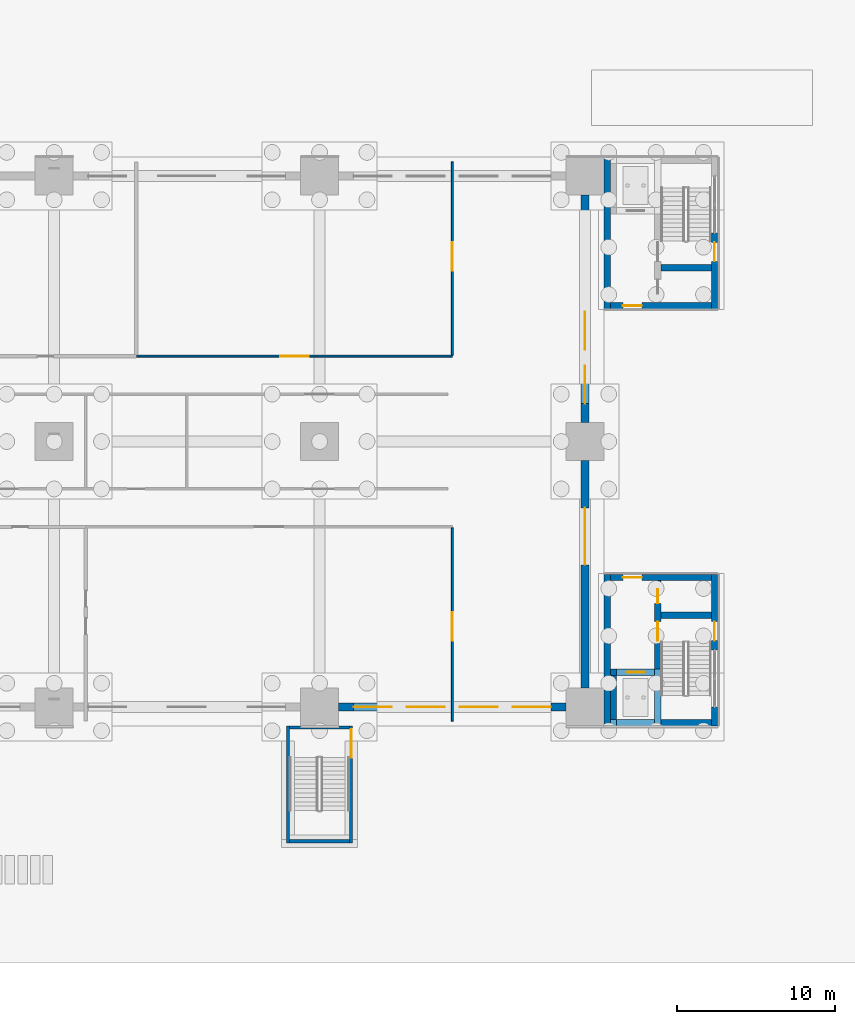
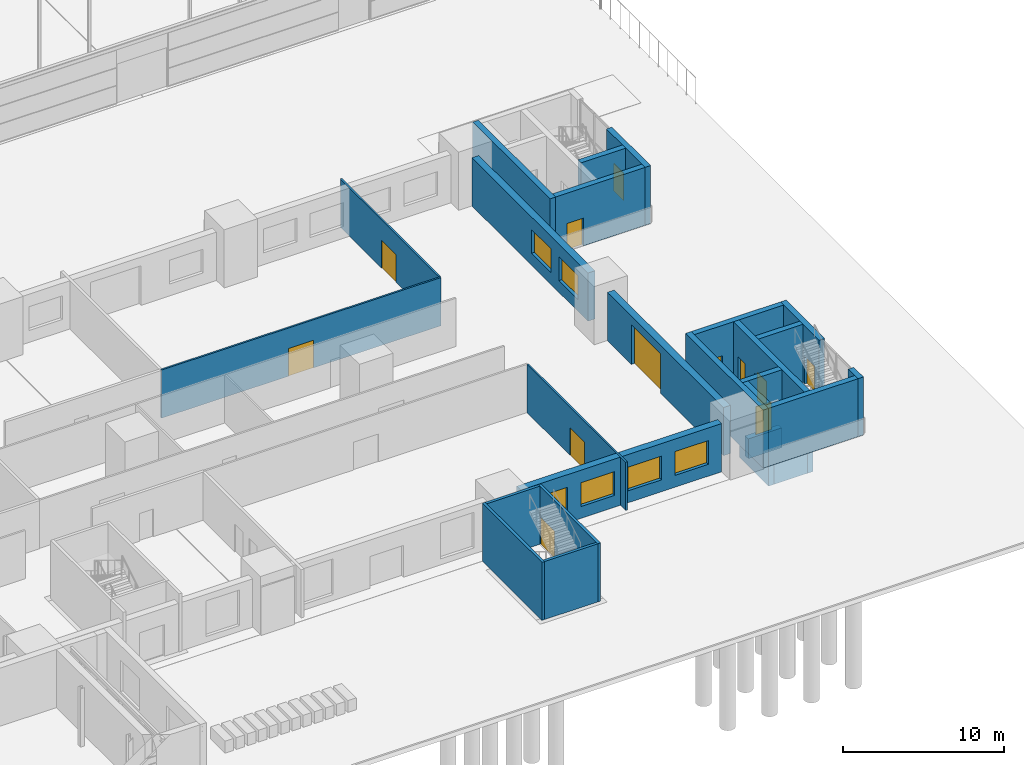
# One storey, part 88 of 139: 27 walls, 12 doors, 6 windows, 18 openings.
"""IFC4 building model written with IfcOpenShell, lengths in metres."""

from ifc_helpers import new_model, si_unit, direction, frame, frame_2d, origin, place, context, subcontext, project, spatial, rectangle, extrude, material, layer, layer_set, type_object, element, fill, save


model = new_model("IFC4")

# Units and contexts
model_context = context("Model", 3, precision=1e-05, world=origin(), true_north=direction((0.0, 1.0)))
body_context = subcontext(model_context, "Body", "Model", "MODEL_VIEW")
ifc_project = project(units=[si_unit("LENGTHUNIT", "METRE"), si_unit("AREAUNIT", "SQUARE_METRE"), si_unit("VOLUMEUNIT", "CUBIC_METRE"), si_unit("PLANEANGLEUNIT", "RADIAN"), si_unit("MASSUNIT", "GRAM", prefix="KILO")], contexts=[model_context])

# Site, building, storey
site_placement = place(None, origin())
site = spatial("IfcSite", under=ifc_project, at=site_placement, CompositionType="ELEMENT")
building_placement = place(site_placement, origin())
building = spatial("IfcBuilding", under=site, at=building_placement, Name="Verrick Yard Athletic Hall", CompositionType="ELEMENT")
storey_placement = place(building_placement, origin())
storey = spatial("IfcBuildingStorey", under=building, at=storey_placement, Name="L00", CompositionType="ELEMENT", Elevation=0.0)

# Wall, openings, doors
ifc_material_1 = material(Name="Concrete 35 MPa", Category="concrete")
ifc_layer_1 = layer(ifc_material_1, 0.39990234375)
ifc_layer_set_1 = layer_set([ifc_layer_1], Name="Core wall CR400")
wall_type_1 = type_object("IfcWallType", Name="Core wall CR400", PredefinedType="SHEAR", material=ifc_layer_set_1)
wall_1_placement = place(storey_placement, frame((162.199951171875, 18.39990234375, 0.0), z_axis=(0.0, 0.0, 1.0), x_axis=(0.0, 1.0, 0.0)))
wall_1 = element("IfcWall", 1, at=wall_1_placement, inside=storey, type_object=wall_type_1, Name="CORE-CB3-WP-L00", PredefinedType="SHEAR", context=body_context, shape_type="SweptSolid", body=[
    extrude(rectangle(XDim=8.800048828125, YDim=0.39990234375, at=frame_2d((4.39990234375, 0.0))), origin(), (0.0, 0.0, 1.0), 4.39990234375),
])
opening_1_placement = place(wall_1_placement, frame((5.0, 0.0, 0.0)))
opening_1 = element("IfcOpeningElement", 2, at=opening_1_placement, cuts=wall_1, Name="Opening SD1", PredefinedType="OPENING", context=body_context, shape_type="SweptSolid", body=[
    extrude(rectangle(XDim=1.199951171875, YDim=2.10009765625, at=frame_2d((0.60009765625, 1.050048828125))), frame((0.0, 0.2099609375, 0.0), z_axis=(0.0, -1.0, 0.0), x_axis=(1.0, 0.0, 0.0)), (0.0, 0.0, 1.0), 0.419921875),
])
opening_2_placement = place(wall_1_placement, frame((7.35009765625, 0.0, 0.0)))
opening_2 = element("IfcOpeningElement", 3, at=opening_2_placement, cuts=wall_1, Name="Opening RD1", PredefinedType="OPENING", context=body_context, shape_type="SweptSolid", body=[
    extrude(rectangle(XDim=0.89990234375, YDim=2.10009765625, at=frame_2d((0.449951171875, 1.050048828125))), frame((0.0, 0.2099609375, 0.0), z_axis=(0.0, -1.0, 0.0), x_axis=(1.0, 0.0, 0.0)), (0.0, 0.0, 1.0), 0.419921875),
])
ifc_material_2 = material(Name="Hollow metal door leaf")
door_type_1 = type_object("IfcDoorType", Name="Core door RD1 900x2100", OperationType="NOTDEFINED", PredefinedType="DOOR", material=ifc_material_2)
door_1_placement = place(opening_2_placement, origin())
door_1 = element("IfcDoor", 4, at=door_1_placement, inside=storey, type_object=door_type_1, Name="CORE-CB3-WP-L00-DRD1-2620", OperationType="SINGLE_SWING_RIGHT", OverallHeight=2.10009765625, OverallWidth=0.89990234375, PredefinedType="DOOR", context=body_context, shape_type="SweptSolid", body=[
    extrude(rectangle(XDim=0.89990234375, YDim=2.10009765625, at=frame_2d((0.449951171875, 1.050048828125))), frame((0.0, 0.02490234375, 0.0), z_axis=(0.0, -1.0, 0.0), x_axis=(1.0, 0.0, 0.0)), (0.0, 0.0, 1.0), 0.050048828125),
])
fill(opening_2, door_1)
door_type_2 = type_object("IfcDoorType", Name="Core door SD1 1200x2100", OperationType="NOTDEFINED", PredefinedType="DOOR", material=ifc_material_2)
door_2_placement = place(opening_1_placement, origin())
door_2 = element("IfcDoor", 5, at=door_2_placement, inside=storey, type_object=door_type_2, Name="CORE-CB3-WP-L00-DSD1-2400", OperationType="SINGLE_SWING_RIGHT", OverallHeight=2.10009765625, OverallWidth=1.199951171875, PredefinedType="DOOR", context=body_context, shape_type="SweptSolid", body=[
    extrude(rectangle(XDim=1.199951171875, YDim=2.10009765625, at=frame_2d((0.60009765625, 1.050048828125))), frame((0.0, 0.02490234375, 0.0), z_axis=(0.0, -1.0, 0.0), x_axis=(1.0, 0.0, 0.0)), (0.0, 0.0, 1.0), 0.050048828125),
])
fill(opening_1, door_2)

# Wall
wall_2_placement = place(storey_placement, frame((162.39990234375, 25.0, 0.0), z_axis=(0.0, 0.0, 1.0), x_axis=(1.0, 0.0, 0.0)))
element("IfcWall", 6, at=wall_2_placement, inside=storey, type_object=wall_type_1, Name="CORE-CB3-WSN-L00", PredefinedType="SHEAR", context=body_context, shape_type="SweptSolid", body=[
    extrude(rectangle(XDim=3.2001953125, YDim=0.39990234375, at=frame_2d((1.60009765625, 0.0))), origin(), (0.0, 0.0, 1.0), 4.39990234375),
])

# Wall, opening, door
wall_3_placement = place(storey_placement, frame((159.199951171875, 21.39990234375, 0.0), z_axis=(0.0, 0.0, 1.0), x_axis=(1.0, 0.0, 0.0)))
wall_3 = element("IfcWall", 7, at=wall_3_placement, inside=storey, type_object=wall_type_1, Name="CORE-CB3-WLN-L00", PredefinedType="SHEAR", context=body_context, shape_type="SweptSolid", body=[
    extrude(rectangle(XDim=2.800048828125, YDim=0.39990234375, at=frame_2d((1.39990234375, 0.0))), origin(), (0.0, 0.0, 1.0), 4.39990234375),
])
opening_3_placement = place(wall_3_placement, frame((1.050048828125, 0.0, 0.0)))
opening_3 = element("IfcOpeningElement", 8, at=opening_3_placement, cuts=wall_3, Name="Opening LD", PredefinedType="OPENING", context=body_context, shape_type="SweptSolid", body=[
    extrude(rectangle(XDim=1.10009765625, YDim=2.10009765625, at=frame_2d((0.550048828125, 1.050048828125))), frame((0.0, 0.2099609375, 0.0), z_axis=(0.0, -1.0, 0.0), x_axis=(1.0, 0.0, 0.0)), (0.0, 0.0, 1.0), 0.419921875),
])
ifc_material_3 = material(Name="Stainless steel landing door", Category="steel")
door_type_3 = type_object("IfcDoorType", Name="Lift landing door LD 1100x2100", OperationType="NOTDEFINED", PredefinedType="DOOR", material=ifc_material_3)
door_3_placement = place(opening_3_placement, origin())
door_3 = element("IfcDoor", 9, at=door_3_placement, inside=storey, type_object=door_type_3, Name="Lift landing door", OperationType="SLIDING_TO_RIGHT", OverallHeight=2.10009765625, OverallWidth=1.10009765625, PredefinedType="DOOR", context=body_context, shape_type="SweptSolid", body=[
    extrude(rectangle(XDim=1.10009765625, YDim=2.10009765625, at=frame_2d((0.550048828125, 1.050048828125))), frame((0.0, 0.02490234375, 0.0), z_axis=(0.0, -1.0, 0.0), x_axis=(1.0, 0.0, 0.0)), (0.0, 0.0, 1.0), 0.050048828125),
])
fill(opening_3, door_3)

# Walls
wall_4_placement = place(storey_placement, frame((159.39990234375, 18.39990234375, 0.0), z_axis=(0.0, 0.0, 1.0), x_axis=(0.0, 1.0, 0.0)))
element("IfcWall", 10, at=wall_4_placement, inside=storey, type_object=wall_type_1, Name="CORE-CB3-WLE-L00", PredefinedType="SHEAR", context=body_context, shape_type="SweptSolid", body=[
    extrude(rectangle(XDim=2.800048828125, YDim=0.39990234375, at=frame_2d((1.39990234375, 0.0))), origin(), (0.0, 0.0, 1.0), 4.39990234375),
])
for number, where, z_axis, x_axis, name in (
    (11, (159.39990234375, 18.0, -1.5), (0.0, 0.0, 1.0), (0.0, 1.0, 0.0), "CORE-LF-CB3-PWW"),
    (12, (162.199951171875, 18.0, -1.5), (0.0, 0.0, 1.0), (0.0, 1.0, 0.0), "CORE-LF-CB3-PWE"),
):
    element("IfcWall", number, at=place(storey_placement, frame(where, z_axis=z_axis, x_axis=x_axis)), inside=storey, type_object=wall_type_1, Name=name, PredefinedType="SHEAR", context=body_context, shape_type="SweptSolid", body=[
        extrude(rectangle(XDim=3.60009765625, YDim=0.39990234375, at=frame_2d((1.800048828125, 0.0))), origin(), (0.0, 0.0, 1.0), 1.5),
    ])
for number, where, z_axis, x_axis, name in (
    (13, (159.60009765625, 18.199951171875, -1.5), (0.0, 0.0, 1.0), (1.0, 0.0, 0.0), "CORE-LF-CB3-PWS"),
    (14, (159.60009765625, 21.39990234375, -1.5), (0.0, 0.0, 1.0), (1.0, 0.0, 0.0), "CORE-LF-CB3-PWN"),
):
    element("IfcWall", number, at=place(storey_placement, frame(where, z_axis=z_axis, x_axis=x_axis)), inside=storey, type_object=wall_type_1, Name=name, PredefinedType="SHEAR", context=body_context, shape_type="SweptSolid", body=[
        extrude(rectangle(XDim=2.39990234375, YDim=0.39990234375, at=frame_2d((1.199951171875, 0.0))), origin(), (0.0, 0.0, 1.0), 1.5),
    ])
wall_5_placement = place(storey_placement, frame((162.39990234375, 47.0, 0.0), z_axis=(0.0, 0.0, 1.0), x_axis=(1.0, 0.0, 0.0)))
element("IfcWall", 15, at=wall_5_placement, inside=storey, type_object=wall_type_1, Name="CORE-CB4-WSN-L00", PredefinedType="SHEAR", context=body_context, shape_type="SweptSolid", body=[
    extrude(rectangle(XDim=3.2001953125, YDim=0.39990234375, at=frame_2d((1.60009765625, 0.0))), origin(), (0.0, 0.0, 1.0), 4.39990234375),
])
ifc_layer_2 = layer(ifc_material_1, 0.39990234375)
ifc_layer_set_2 = layer_set([ifc_layer_2], Name="External core wall CR400")
wall_type_2 = type_object("IfcWallType", Name="External core wall CR400", PredefinedType="SHEAR", material=ifc_layer_set_2)
wall_6_placement = place(storey_placement, frame((165.800048828125, 19.199951171875, 0.0), z_axis=(0.0, 0.0, 1.0), x_axis=(0.0, -1.0, 0.0)))
element("IfcWall", 16, at=wall_6_placement, inside=storey, type_object=wall_type_2, Name="CORE-CB3-WW-L00-0", PredefinedType="SHEAR", context=body_context, shape_type="SweptSolid", body=[
    extrude(rectangle(XDim=1.199951171875, YDim=0.39990234375, at=frame_2d((0.60009765625, 0.0))), origin(), (0.0, 0.0, 1.0), 4.39990234375),
])

# Wall, opening, door
wall_7_placement = place(storey_placement, frame((165.800048828125, 27.60009765625, 0.0), z_axis=(0.0, 0.0, 1.0), x_axis=(0.0, -1.0, 0.0)))
wall_7 = element("IfcWall", 17, at=wall_7_placement, inside=storey, type_object=wall_type_2, Name="CORE-CB3-WW-L00-1", PredefinedType="SHEAR", context=body_context, shape_type="SweptSolid", body=[
    extrude(rectangle(XDim=4.800048828125, YDim=0.39990234375, at=frame_2d((2.39990234375, 0.0))), origin(), (0.0, 0.0, 1.0), 4.39990234375),
])
opening_4_placement = place(wall_7_placement, frame((3.0, 0.0, 0.0)))
opening_4 = element("IfcOpeningElement", 18, at=opening_4_placement, cuts=wall_7, Name="Opening XD1", PredefinedType="OPENING", context=body_context, shape_type="SweptSolid", body=[
    extrude(rectangle(XDim=1.199951171875, YDim=2.10009765625, at=frame_2d((0.60009765625, 1.050048828125))), frame((0.0, 0.2099609375, 0.0), z_axis=(0.0, -1.0, 0.0), x_axis=(1.0, 0.0, 0.0)), (0.0, 0.0, 1.0), 0.419921875),
])
ifc_material_4 = material(Name="Aluminium door leaf", Category="aluminium")
door_type_4 = type_object("IfcDoorType", Name="Core door XD1 1200x2100", OperationType="NOTDEFINED", PredefinedType="DOOR", material=ifc_material_4)
door_4_placement = place(opening_4_placement, origin())
door_4 = element("IfcDoor", 19, at=door_4_placement, inside=storey, type_object=door_type_4, Name="CORE-CB3-WW-L00-1-DXD1-2400", OperationType="SINGLE_SWING_RIGHT", OverallHeight=2.10009765625, OverallWidth=1.199951171875, PredefinedType="DOOR", context=body_context, shape_type="SweptSolid", body=[
    extrude(rectangle(XDim=1.199951171875, YDim=2.10009765625, at=frame_2d((0.60009765625, 1.050048828125))), frame((0.0, 0.02490234375, 0.0), z_axis=(0.0, -1.0, 0.0), x_axis=(1.0, 0.0, 0.0)), (0.0, 0.0, 1.0), 0.050048828125),
])
fill(opening_4, door_4)

# Walls
wall_8_placement = place(storey_placement, frame((159.0, 18.0, 0.0), z_axis=(0.0, 0.0, 1.0), x_axis=(0.0, 1.0, 0.0)))
element("IfcWall", 20, at=wall_8_placement, inside=storey, type_object=wall_type_2, Name="CORE-CB3-WE-L00", PredefinedType="SHEAR", context=body_context, shape_type="SweptSolid", body=[
    extrude(rectangle(XDim=9.60009765625, YDim=0.39990234375, at=frame_2d((4.800048828125, 0.0))), origin(), (0.0, 0.0, 1.0), 4.39990234375),
])
wall_9_placement = place(storey_placement, frame((159.199951171875, 18.199951171875, 0.0), z_axis=(0.0, 0.0, 1.0), x_axis=(1.0, 0.0, 0.0)))
element("IfcWall", 21, at=wall_9_placement, inside=storey, type_object=wall_type_2, Name="CORE-CB3-WS-L00", PredefinedType="SHEAR", context=body_context, shape_type="SweptSolid", body=[
    extrude(rectangle(XDim=6.400146484375, YDim=0.39990234375, at=frame_2d((3.2001953125, 0.0))), origin(), (0.0, 0.0, 1.0), 4.39990234375),
])

# Wall, opening, door
wall_10_placement = place(storey_placement, frame((159.199951171875, 27.39990234375, 0.0), z_axis=(0.0, 0.0, 1.0), x_axis=(1.0, 0.0, 0.0)))
wall_10 = element("IfcWall", 22, at=wall_10_placement, inside=storey, type_object=wall_type_2, Name="CORE-CB3-WN-L00", PredefinedType="SHEAR", context=body_context, shape_type="SweptSolid", body=[
    extrude(rectangle(XDim=6.400146484375, YDim=0.39990234375, at=frame_2d((3.2001953125, 0.0))), origin(), (0.0, 0.0, 1.0), 4.39990234375),
])
opening_5_placement = place(wall_10_placement, frame((0.800048828125, 0.0, 0.0)))
opening_5 = element("IfcOpeningElement", 23, at=opening_5_placement, cuts=wall_10, Name="Opening XD1", PredefinedType="OPENING", context=body_context, shape_type="SweptSolid", body=[
    extrude(rectangle(XDim=1.199951171875, YDim=2.10009765625, at=frame_2d((0.60009765625, 1.050048828125))), frame((0.0, 0.2099609375, 0.0), z_axis=(0.0, -1.0, 0.0), x_axis=(1.0, 0.0, 0.0)), (0.0, 0.0, 1.0), 0.419921875),
])
door_5_placement = place(opening_5_placement, origin())
door_5 = element("IfcDoor", 24, at=door_5_placement, inside=storey, type_object=door_type_4, Name="CORE-CB3-WN-L00-DXD1-16060", OperationType="SINGLE_SWING_RIGHT", OverallHeight=2.10009765625, OverallWidth=1.199951171875, PredefinedType="DOOR", context=body_context, shape_type="SweptSolid", body=[
    extrude(rectangle(XDim=1.199951171875, YDim=2.10009765625, at=frame_2d((0.60009765625, 1.050048828125))), frame((0.0, 0.02490234375, 0.0), z_axis=(0.0, -1.0, 0.0), x_axis=(1.0, 0.0, 0.0)), (0.0, 0.0, 1.0), 0.050048828125),
])
fill(opening_5, door_5)

wall_11_placement = place(storey_placement, frame((165.800048828125, 49.199951171875, 0.0), z_axis=(0.0, 0.0, 1.0), x_axis=(0.0, -1.0, 0.0)))
wall_11 = element("IfcWall", 25, at=wall_11_placement, inside=storey, type_object=wall_type_2, Name="CORE-CB4-WW-L00-0", PredefinedType="SHEAR", context=body_context, shape_type="SweptSolid", body=[
    extrude(rectangle(XDim=4.800048828125, YDim=0.39990234375, at=frame_2d((2.39990234375, 0.0))), origin(), (0.0, 0.0, 1.0), 4.39990234375),
])
opening_6_placement = place(wall_11_placement, frame((0.60009765625, 0.0, 0.0)))
opening_6 = element("IfcOpeningElement", 26, at=opening_6_placement, cuts=wall_11, Name="Opening XD1", PredefinedType="OPENING", context=body_context, shape_type="SweptSolid", body=[
    extrude(rectangle(XDim=1.199951171875, YDim=2.10009765625, at=frame_2d((0.60009765625, 1.050048828125))), frame((0.0, 0.2099609375, 0.0), z_axis=(0.0, -1.0, 0.0), x_axis=(1.0, 0.0, 0.0)), (0.0, 0.0, 1.0), 0.419921875),
])
door_6_placement = place(opening_6_placement, origin())
door_6 = element("IfcDoor", 27, at=door_6_placement, inside=storey, type_object=door_type_4, Name="CORE-CB4-WW-L00-0-DXD1-4800", OperationType="SINGLE_SWING_LEFT", OverallHeight=2.10009765625, OverallWidth=1.199951171875, PredefinedType="DOOR", context=body_context, shape_type="SweptSolid", body=[
    extrude(rectangle(XDim=1.199951171875, YDim=2.10009765625, at=frame_2d((0.60009765625, 1.050048828125))), frame((0.0, 0.02490234375, 0.0), z_axis=(0.0, -1.0, 0.0), x_axis=(1.0, 0.0, 0.0)), (0.0, 0.0, 1.0), 0.050048828125),
])
fill(opening_6, door_6)

# Wall
wall_12_placement = place(storey_placement, frame((159.0, 44.39990234375, 0.0), z_axis=(0.0, 0.0, 1.0), x_axis=(0.0, 1.0, 0.0)))
element("IfcWall", 28, at=wall_12_placement, inside=storey, type_object=wall_type_2, Name="CORE-CB4-WE-L00", PredefinedType="SHEAR", context=body_context, shape_type="SweptSolid", body=[
    extrude(rectangle(XDim=9.60009765625, YDim=0.39990234375, at=frame_2d((4.800048828125, 0.0))), origin(), (0.0, 0.0, 1.0), 4.39990234375),
])

# Wall, opening, door
wall_13_placement = place(storey_placement, frame((159.199951171875, 44.60009765625, 0.0), z_axis=(0.0, 0.0, 1.0), x_axis=(1.0, 0.0, 0.0)))
wall_13 = element("IfcWall", 29, at=wall_13_placement, inside=storey, type_object=wall_type_2, Name="CORE-CB4-WN-L00", PredefinedType="SHEAR", context=body_context, shape_type="SweptSolid", body=[
    extrude(rectangle(XDim=6.400146484375, YDim=0.39990234375, at=frame_2d((3.2001953125, 0.0))), origin(), (0.0, 0.0, 1.0), 4.39990234375),
])
opening_7_placement = place(wall_13_placement, frame((0.800048828125, 0.0, 0.0)))
opening_7 = element("IfcOpeningElement", 30, at=opening_7_placement, cuts=wall_13, Name="Opening XD1", PredefinedType="OPENING", context=body_context, shape_type="SweptSolid", body=[
    extrude(rectangle(XDim=1.199951171875, YDim=2.10009765625, at=frame_2d((0.60009765625, 1.050048828125))), frame((0.0, 0.2099609375, 0.0), z_axis=(0.0, -1.0, 0.0), x_axis=(1.0, 0.0, 0.0)), (0.0, 0.0, 1.0), 0.419921875),
])
door_7_placement = place(opening_7_placement, origin())
door_7 = element("IfcDoor", 31, at=door_7_placement, inside=storey, type_object=door_type_4, Name="CORE-CB4-WN-L00-DXD1-16060", OperationType="SINGLE_SWING_LEFT", OverallHeight=2.10009765625, OverallWidth=1.199951171875, PredefinedType="DOOR", context=body_context, shape_type="SweptSolid", body=[
    extrude(rectangle(XDim=1.199951171875, YDim=2.10009765625, at=frame_2d((0.60009765625, 1.050048828125))), frame((0.0, 0.02490234375, 0.0), z_axis=(0.0, -1.0, 0.0), x_axis=(1.0, 0.0, 0.0)), (0.0, 0.0, 1.0), 0.050048828125),
])
fill(opening_7, door_7)

# Wall
ifc_layer_3 = layer(ifc_material_1, 0.199951171875)
ifc_layer_set_3 = layer_set([ifc_layer_3], Name="External enclosure wall CR200")
wall_type_3 = type_object("IfcWallType", Name="External enclosure wall CR200", PredefinedType="SOLIDWALL", material=ifc_layer_set_3)
wall_14_placement = place(storey_placement, frame((138.800048828125, 10.60009765625, 0.0), z_axis=(0.0, 0.0, 1.0), x_axis=(0.0, 1.0, 0.0)))
element("IfcWall", 32, at=wall_14_placement, inside=storey, type_object=wall_type_3, Name="CORE-DT-S2-WW-L00", PredefinedType="SOLIDWALL", context=body_context, shape_type="SweptSolid", body=[
    extrude(rectangle(XDim=7.39990234375, YDim=0.199951171875, at=frame_2d((3.699951171875, 0.0))), origin(), (0.0, 0.0, 1.0), 4.39990234375),
])

# Wall, opening, door
wall_15_placement = place(storey_placement, frame((142.800048828125, 18.0, 0.0), z_axis=(0.0, 0.0, 1.0), x_axis=(0.0, -1.0, 0.0)))
wall_15 = element("IfcWall", 33, at=wall_15_placement, inside=storey, type_object=wall_type_3, Name="CORE-DT-S2-WE-L00", PredefinedType="SOLIDWALL", context=body_context, shape_type="SweptSolid", body=[
    extrude(rectangle(XDim=7.39990234375, YDim=0.199951171875, at=frame_2d((3.699951171875, 0.0))), origin(), (0.0, 0.0, 1.0), 4.39990234375),
])
opening_8_placement = place(wall_15_placement, frame((0.199951171875, 0.0, 0.0)))
opening_8 = element("IfcOpeningElement", 34, at=opening_8_placement, cuts=wall_15, Name="Opening XD2", PredefinedType="OPENING", context=body_context, shape_type="SweptSolid", body=[
    extrude(rectangle(XDim=1.800048828125, YDim=2.10009765625, at=frame_2d((0.89990234375, 1.050048828125))), frame((0.0, 0.10986328125, 0.0), z_axis=(0.0, -1.0, 0.0), x_axis=(1.0, 0.0, 0.0)), (0.0, 0.0, 1.0), 0.219970703125),
])
door_type_5 = type_object("IfcDoorType", Name="Core door XD2 1800x2100", OperationType="NOTDEFINED", PredefinedType="DOOR", material=ifc_material_4)
door_8_placement = place(opening_8_placement, origin())
door_8 = element("IfcDoor", 35, at=door_8_placement, inside=storey, type_object=door_type_5, Name="CORE-DT-S2-WE-L00-DXD2-1690", OperationType="DOUBLE_DOOR_SINGLE_SWING", OverallHeight=2.10009765625, OverallWidth=1.800048828125, PredefinedType="DOOR", context=body_context, shape_type="SweptSolid", body=[
    extrude(rectangle(XDim=1.800048828125, YDim=2.10009765625, at=frame_2d((0.89990234375, 1.050048828125))), frame((0.0, 0.02490234375, 0.0), z_axis=(0.0, -1.0, 0.0), x_axis=(1.0, 0.0, 0.0)), (0.0, 0.0, 1.0), 0.050048828125),
])
fill(opening_8, door_8)

# Walls
for number, where, z_axis, x_axis, name in (
    (36, (138.89990234375, 10.699951171875, 0.0), (0.0, 0.0, 1.0), (1.0, 0.0, 0.0), "CORE-DT-S2-WS-L00"),
    (37, (138.89990234375, 17.89990234375, 0.0), (0.0, 0.0, 1.0), (1.0, 0.0, 0.0), "CORE-DT-S2-WN-L00"),
):
    element("IfcWall", number, at=place(storey_placement, frame(where, z_axis=z_axis, x_axis=x_axis)), inside=storey, type_object=wall_type_3, Name=name, PredefinedType="SOLIDWALL", context=body_context, shape_type="SweptSolid", body=[
        extrude(rectangle(XDim=3.800048828125, YDim=0.199951171875, at=frame_2d((1.89990234375, 0.0))), origin(), (0.0, 0.0, 1.0), 4.39990234375),
    ])

# Wall, opening, door
ifc_material_5 = material(Name="Gypsum plasterboard on light-gauge studs")
ifc_layer_4 = layer(ifc_material_5, 0.125)
ifc_layer_set_4 = layer_set([ifc_layer_4], Name="PW2 Stud partition 125")
wall_type_4 = type_object("IfcWallType", Name="PW2 Stud partition 125", PredefinedType="PARTITIONING", material=ifc_layer_set_4)
wall_16_placement = place(storey_placement, frame((129.199951171875, 41.39990234375, 0.0), z_axis=(0.0, 0.0, 1.0), x_axis=(1.0, 0.0, 0.0)))
wall_16 = element("IfcWall", 38, at=wall_16_placement, inside=storey, type_object=wall_type_4, Name="Partition PW2", PredefinedType="PARTITIONING", context=body_context, shape_type="SweptSolid", body=[
    extrude(rectangle(XDim=20.0, YDim=0.125, at=frame_2d((10.0, 0.0))), origin(), (0.0, 0.0, 1.0), 3.64990234375),
])
opening_9_placement = place(wall_16_placement, frame((9.10009765625, 0.0, 0.0)))
opening_9 = element("IfcOpeningElement", 39, at=opening_9_placement, cuts=wall_16, Name="Opening D3", PredefinedType="OPENING", context=body_context, shape_type="SweptSolid", body=[
    extrude(rectangle(XDim=1.800048828125, YDim=2.10009765625, at=frame_2d((0.89990234375, 1.050048828125))), frame((0.0, 0.072509765625, 0.0), z_axis=(0.0, -1.0, 0.0), x_axis=(1.0, 0.0, 0.0)), (0.0, 0.0, 1.0), 0.14501953125),
])
ifc_material_6 = material(Name="Timber door leaf in steel frame", Category="steel")
door_type_6 = type_object("IfcDoorType", Name="D3 Double door 1800 x 2100", OperationType="NOTDEFINED", PredefinedType="DOOR", material=ifc_material_6)
door_9_placement = place(opening_9_placement, origin())
door_9 = element("IfcDoor", 40, at=door_9_placement, inside=storey, type_object=door_type_6, Name="D3 Community Room 7", OperationType="DOUBLE_DOOR_SINGLE_SWING", OverallHeight=2.10009765625, OverallWidth=1.800048828125, PredefinedType="DOOR", context=body_context, shape_type="SweptSolid", body=[
    extrude(rectangle(XDim=1.800048828125, YDim=2.10009765625, at=frame_2d((0.89990234375, 1.050048828125))), frame((0.0, 0.02490234375, 0.0), z_axis=(0.0, -1.0, 0.0), x_axis=(1.0, 0.0, 0.0)), (0.0, 0.0, 1.0), 0.050048828125),
])
fill(opening_9, door_9)

wall_17_placement = place(storey_placement, frame((149.199951171875, 18.300048828125, 0.0), z_axis=(0.0, 0.0, 1.0), x_axis=(0.0, 1.0, 0.0)))
wall_17 = element("IfcWall", 41, at=wall_17_placement, inside=storey, type_object=wall_type_4, Name="Partition PW2", PredefinedType="PARTITIONING", context=body_context, shape_type="SweptSolid", body=[
    extrude(rectangle(XDim=12.237548828125, YDim=0.125, at=frame_2d((6.11865234375, 0.0))), origin(), (0.0, 0.0, 1.0), 3.64990234375),
])
opening_10_placement = place(wall_17_placement, frame((5.10009765625, 0.0, 0.0)))
opening_10 = element("IfcOpeningElement", 42, at=opening_10_placement, cuts=wall_17, Name="Opening D3", PredefinedType="OPENING", context=body_context, shape_type="SweptSolid", body=[
    extrude(rectangle(XDim=1.800048828125, YDim=2.10009765625, at=frame_2d((0.89990234375, 1.050048828125))), frame((0.0, 0.072509765625, 0.0), z_axis=(0.0, -1.0, 0.0), x_axis=(1.0, 0.0, 0.0)), (0.0, 0.0, 1.0), 0.14501953125),
])
door_10_placement = place(opening_10_placement, origin())
door_10 = element("IfcDoor", 43, at=door_10_placement, inside=storey, type_object=door_type_6, Name="D3 Cafe", OperationType="DOUBLE_DOOR_SINGLE_SWING", OverallHeight=2.10009765625, OverallWidth=1.800048828125, PredefinedType="DOOR", context=body_context, shape_type="SweptSolid", body=[
    extrude(rectangle(XDim=1.800048828125, YDim=2.10009765625, at=frame_2d((0.89990234375, 1.050048828125))), frame((0.0, 0.02490234375, 0.0), z_axis=(0.0, -1.0, 0.0), x_axis=(1.0, 0.0, 0.0)), (0.0, 0.0, 1.0), 0.050048828125),
])
fill(opening_10, door_10)

wall_18_placement = place(storey_placement, frame((149.199951171875, 41.46240234375, 0.0), z_axis=(0.0, 0.0, 1.0), x_axis=(0.0, 1.0, 0.0)))
wall_18 = element("IfcWall", 44, at=wall_18_placement, inside=storey, type_object=wall_type_4, Name="Partition PW2", PredefinedType="PARTITIONING", context=body_context, shape_type="SweptSolid", body=[
    extrude(rectangle(XDim=12.237548828125, YDim=0.125, at=frame_2d((6.11865234375, 0.0))), origin(), (0.0, 0.0, 1.0), 3.64990234375),
])
opening_11_placement = place(wall_18_placement, frame((5.337890625, 0.0, 0.0)))
opening_11 = element("IfcOpeningElement", 45, at=opening_11_placement, cuts=wall_18, Name="Opening D3", PredefinedType="OPENING", context=body_context, shape_type="SweptSolid", body=[
    extrude(rectangle(XDim=1.800048828125, YDim=2.10009765625, at=frame_2d((0.89990234375, 1.050048828125))), frame((0.0, 0.072509765625, 0.0), z_axis=(0.0, -1.0, 0.0), x_axis=(1.0, 0.0, 0.0)), (0.0, 0.0, 1.0), 0.14501953125),
])
door_11_placement = place(opening_11_placement, origin())
door_11 = element("IfcDoor", 46, at=door_11_placement, inside=storey, type_object=door_type_6, Name="D3 Community Room 7", OperationType="DOUBLE_DOOR_SINGLE_SWING", OverallHeight=2.10009765625, OverallWidth=1.800048828125, PredefinedType="DOOR", context=body_context, shape_type="SweptSolid", body=[
    extrude(rectangle(XDim=1.800048828125, YDim=2.10009765625, at=frame_2d((0.89990234375, 1.050048828125))), frame((0.0, 0.02490234375, 0.0), z_axis=(0.0, -1.0, 0.0), x_axis=(1.0, 0.0, 0.0)), (0.0, 0.0, 1.0), 0.050048828125),
])
fill(opening_11, door_11)

# Wall, openings, windows
ifc_material_7 = material(Name="Rusticated limestone cladding", Category="masonry")
ifc_layer_5 = layer(ifc_material_7, 0.10009765625, Name="Rusticated limestone cladding")
ifc_material_8 = material(Name="Mineral wool insulation")
ifc_layer_6 = layer(ifc_material_8, 0.10009765625, Name="Mineral wool insulation")
ifc_layer_7 = layer(ifc_material_1, 0.300048828125, Name="Concrete 35 MPa")
ifc_layer_set_5 = layer_set([ifc_layer_5, ifc_layer_6, ifc_layer_7], Name="Rusticated base wall 500")
wall_type_5 = type_object("IfcWallType", Name="Rusticated base wall 500", PredefinedType="SOLIDWALL", material=ifc_layer_set_5)
wall_19_placement = place(storey_placement, frame((142.0, 19.199951171875, 0.0), z_axis=(0.0, 0.0, 1.0), x_axis=(1.0, 0.0, 0.0)))
wall_19 = element("IfcWall", 47, at=wall_19_placement, inside=storey, type_object=wall_type_5, Name="Base wall S7", PredefinedType="SOLIDWALL", context=body_context, shape_type="SweptSolid", body=[
    extrude(rectangle(XDim=14.39990234375, YDim=0.5, at=frame_2d((7.199951171875, 0.0))), origin(), (0.0, 0.0, 1.0), 3.64990234375),
])
opening_12_placement = place(wall_19_placement, frame((0.9599609375, 0.0, 0.89990234375)))
opening_12 = element("IfcOpeningElement", 48, at=opening_12_placement, cuts=wall_19, Name="Opening W1", PredefinedType="OPENING", context=body_context, shape_type="SweptSolid", body=[
    extrude(rectangle(XDim=2.39990234375, YDim=1.800048828125, at=frame_2d((1.199951171875, 0.89990234375))), frame((0.0, 0.260009765625, 0.0), z_axis=(0.0, -1.0, 0.0), x_axis=(1.0, 0.0, 0.0)), (0.0, 0.0, 1.0), 0.52001953125),
])
opening_13_placement = place(wall_19_placement, frame((4.320068359375, 0.0, 0.89990234375)))
opening_13 = element("IfcOpeningElement", 49, at=opening_13_placement, cuts=wall_19, Name="Opening W1", PredefinedType="OPENING", context=body_context, shape_type="SweptSolid", body=[
    extrude(rectangle(XDim=2.39990234375, YDim=1.800048828125, at=frame_2d((1.199951171875, 0.89990234375))), frame((0.0, 0.260009765625, 0.0), z_axis=(0.0, -1.0, 0.0), x_axis=(1.0, 0.0, 0.0)), (0.0, 0.0, 1.0), 0.52001953125),
])
opening_14_placement = place(wall_19_placement, frame((7.679931640625, 0.0, 0.89990234375)))
opening_14 = element("IfcOpeningElement", 50, at=opening_14_placement, cuts=wall_19, Name="Opening W1", PredefinedType="OPENING", context=body_context, shape_type="SweptSolid", body=[
    extrude(rectangle(XDim=2.39990234375, YDim=1.800048828125, at=frame_2d((1.199951171875, 0.89990234375))), frame((0.0, 0.260009765625, 0.0), z_axis=(0.0, -1.0, 0.0), x_axis=(1.0, 0.0, 0.0)), (0.0, 0.0, 1.0), 0.52001953125),
])
opening_15_placement = place(wall_19_placement, frame((11.0400390625, 0.0, 0.89990234375)))
opening_15 = element("IfcOpeningElement", 51, at=opening_15_placement, cuts=wall_19, Name="Opening W1", PredefinedType="OPENING", context=body_context, shape_type="SweptSolid", body=[
    extrude(rectangle(XDim=2.39990234375, YDim=1.800048828125, at=frame_2d((1.199951171875, 0.89990234375))), frame((0.0, 0.260009765625, 0.0), z_axis=(0.0, -1.0, 0.0), x_axis=(1.0, 0.0, 0.0)), (0.0, 0.0, 1.0), 0.52001953125),
])
ifc_material_9 = material(Name="Aluminium frame with double glazing", Category="aluminium")
window_type = type_object("IfcWindowType", Name="Window 2400 x 1800", PartitioningType="NOTDEFINED", PredefinedType="WINDOW", material=ifc_material_9)
window_1_placement = place(opening_12_placement, origin())
window_1 = element("IfcWindow", 52, at=window_1_placement, inside=storey, type_object=window_type, Name="Window S7.1", OverallHeight=1.800048828125, OverallWidth=2.39990234375, PartitioningType="SINGLE_PANEL", PredefinedType="WINDOW", context=body_context, shape_type="SweptSolid", body=[
    extrude(rectangle(XDim=2.39990234375, YDim=1.800048828125, at=frame_2d((1.199951171875, 0.89990234375))), frame((0.0, 0.030029296875, 0.0), z_axis=(0.0, -1.0, 0.0), x_axis=(1.0, 0.0, 0.0)), (0.0, 0.0, 1.0), 0.06005859375),
])
fill(opening_12, window_1)
window_2_placement = place(opening_13_placement, origin())
window_2 = element("IfcWindow", 53, at=window_2_placement, inside=storey, type_object=window_type, Name="Window S7.2", OverallHeight=1.800048828125, OverallWidth=2.39990234375, PartitioningType="SINGLE_PANEL", PredefinedType="WINDOW", context=body_context, shape_type="SweptSolid", body=[
    extrude(rectangle(XDim=2.39990234375, YDim=1.800048828125, at=frame_2d((1.199951171875, 0.89990234375))), frame((0.0, 0.030029296875, 0.0), z_axis=(0.0, -1.0, 0.0), x_axis=(1.0, 0.0, 0.0)), (0.0, 0.0, 1.0), 0.06005859375),
])
fill(opening_13, window_2)
window_3_placement = place(opening_14_placement, origin())
window_3 = element("IfcWindow", 54, at=window_3_placement, inside=storey, type_object=window_type, Name="Window S7.3", OverallHeight=1.800048828125, OverallWidth=2.39990234375, PartitioningType="SINGLE_PANEL", PredefinedType="WINDOW", context=body_context, shape_type="SweptSolid", body=[
    extrude(rectangle(XDim=2.39990234375, YDim=1.800048828125, at=frame_2d((1.199951171875, 0.89990234375))), frame((0.0, 0.030029296875, 0.0), z_axis=(0.0, -1.0, 0.0), x_axis=(1.0, 0.0, 0.0)), (0.0, 0.0, 1.0), 0.06005859375),
])
fill(opening_14, window_3)
window_4_placement = place(opening_15_placement, origin())
window_4 = element("IfcWindow", 55, at=window_4_placement, inside=storey, type_object=window_type, Name="Window S7.4", OverallHeight=1.800048828125, OverallWidth=2.39990234375, PartitioningType="SINGLE_PANEL", PredefinedType="WINDOW", context=body_context, shape_type="SweptSolid", body=[
    extrude(rectangle(XDim=2.39990234375, YDim=1.800048828125, at=frame_2d((1.199951171875, 0.89990234375))), frame((0.0, 0.030029296875, 0.0), z_axis=(0.0, -1.0, 0.0), x_axis=(1.0, 0.0, 0.0)), (0.0, 0.0, 1.0), 0.06005859375),
])
fill(opening_15, window_4)

# Wall, opening, door
wall_20_placement = place(storey_placement, frame((157.60009765625, 20.39990234375, 0.0), z_axis=(0.0, 0.0, 1.0), x_axis=(0.0, 1.0, 0.0)))
wall_20 = element("IfcWall", 56, at=wall_20_placement, inside=storey, type_object=wall_type_5, Name="Base wall E1", PredefinedType="SOLIDWALL", context=body_context, shape_type="SweptSolid", body=[
    extrude(rectangle(XDim=14.400146484375, YDim=0.5, at=frame_2d((7.2001953125, 0.0))), origin(), (0.0, 0.0, 1.0), 3.64990234375),
])
opening_16_placement = place(wall_20_placement, frame((7.800048828125, 0.0, 0.0)))
opening_16 = element("IfcOpeningElement", 57, at=opening_16_placement, cuts=wall_20, Name="Opening ED4", PredefinedType="OPENING", context=body_context, shape_type="SweptSolid", body=[
    extrude(rectangle(XDim=3.60009765625, YDim=3.0, at=frame_2d((1.800048828125, 1.5))), frame((0.0, 0.260009765625, 0.0), z_axis=(0.0, -1.0, 0.0), x_axis=(1.0, 0.0, 0.0)), (0.0, 0.0, 1.0), 0.52001953125),
])
ifc_material_10 = material(Name="Insulated steel roller shutter", Category="steel")
door_type_7 = type_object("IfcDoorType", Name="Loading door 3600 x 3000", OperationType="NOTDEFINED", PredefinedType="DOOR", material=ifc_material_10)
door_12_placement = place(opening_16_placement, origin())
door_12 = element("IfcDoor", 58, at=door_12_placement, inside=storey, type_object=door_type_7, Name="Exterior door E10", OperationType="ROLLINGUP", OverallHeight=3.0, OverallWidth=3.60009765625, PredefinedType="DOOR", context=body_context, shape_type="SweptSolid", body=[
    extrude(rectangle(XDim=3.60009765625, YDim=3.0, at=frame_2d((1.800048828125, 1.5))), frame((0.0, 0.02490234375, 0.0), z_axis=(0.0, -1.0, 0.0), x_axis=(1.0, 0.0, 0.0)), (0.0, 0.0, 1.0), 0.050048828125),
])
fill(opening_16, door_12)

# Wall, openings, windows
wall_21_placement = place(storey_placement, frame((157.60009765625, 37.199951171875, 0.0), z_axis=(0.0, 0.0, 1.0), x_axis=(0.0, 1.0, 0.0)))
wall_21 = element("IfcWall", 59, at=wall_21_placement, inside=storey, type_object=wall_type_5, Name="Base wall E2", PredefinedType="SOLIDWALL", context=body_context, shape_type="SweptSolid", body=[
    extrude(rectangle(XDim=14.400146484375, YDim=0.5, at=frame_2d((7.2001953125, 0.0))), origin(), (0.0, 0.0, 1.0), 3.64990234375),
])
opening_17_placement = place(wall_21_placement, frame((1.199951171875, 0.0, 0.89990234375)))
opening_17 = element("IfcOpeningElement", 60, at=opening_17_placement, cuts=wall_21, Name="Opening W1", PredefinedType="OPENING", context=body_context, shape_type="SweptSolid", body=[
    extrude(rectangle(XDim=2.39990234375, YDim=1.800048828125, at=frame_2d((1.199951171875, 0.89990234375))), frame((0.0, 0.260009765625, 0.0), z_axis=(0.0, -1.0, 0.0), x_axis=(1.0, 0.0, 0.0)), (0.0, 0.0, 1.0), 0.52001953125),
])
opening_18_placement = place(wall_21_placement, frame((4.60009765625, 0.0, 0.89990234375)))
opening_18 = element("IfcOpeningElement", 61, at=opening_18_placement, cuts=wall_21, Name="Opening W1", PredefinedType="OPENING", context=body_context, shape_type="SweptSolid", body=[
    extrude(rectangle(XDim=2.39990234375, YDim=1.800048828125, at=frame_2d((1.199951171875, 0.89990234375))), frame((0.0, 0.260009765625, 0.0), z_axis=(0.0, -1.0, 0.0), x_axis=(1.0, 0.0, 0.0)), (0.0, 0.0, 1.0), 0.52001953125),
])
window_5_placement = place(opening_17_placement, origin())
window_5 = element("IfcWindow", 62, at=window_5_placement, inside=storey, type_object=window_type, Name="Window E2.1", OverallHeight=1.800048828125, OverallWidth=2.39990234375, PartitioningType="SINGLE_PANEL", PredefinedType="WINDOW", context=body_context, shape_type="SweptSolid", body=[
    extrude(rectangle(XDim=2.39990234375, YDim=1.800048828125, at=frame_2d((1.199951171875, 0.89990234375))), frame((0.0, 0.030029296875, 0.0), z_axis=(0.0, -1.0, 0.0), x_axis=(1.0, 0.0, 0.0)), (0.0, 0.0, 1.0), 0.06005859375),
])
fill(opening_17, window_5)
window_6_placement = place(opening_18_placement, origin())
window_6 = element("IfcWindow", 63, at=window_6_placement, inside=storey, type_object=window_type, Name="Window E2.2", OverallHeight=1.800048828125, OverallWidth=2.39990234375, PartitioningType="SINGLE_PANEL", PredefinedType="WINDOW", context=body_context, shape_type="SweptSolid", body=[
    extrude(rectangle(XDim=2.39990234375, YDim=1.800048828125, at=frame_2d((1.199951171875, 0.89990234375))), frame((0.0, 0.030029296875, 0.0), z_axis=(0.0, -1.0, 0.0), x_axis=(1.0, 0.0, 0.0)), (0.0, 0.0, 1.0), 0.06005859375),
])
fill(opening_18, window_6)

save(model, "model.ifc")
